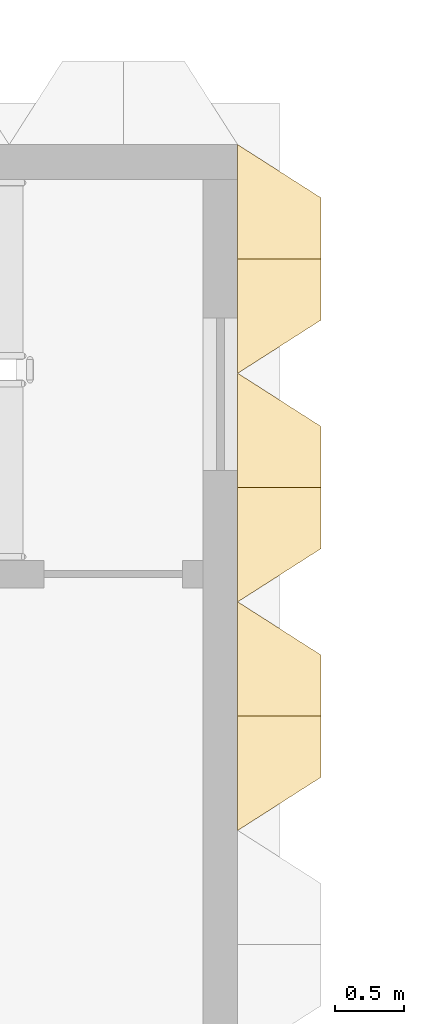
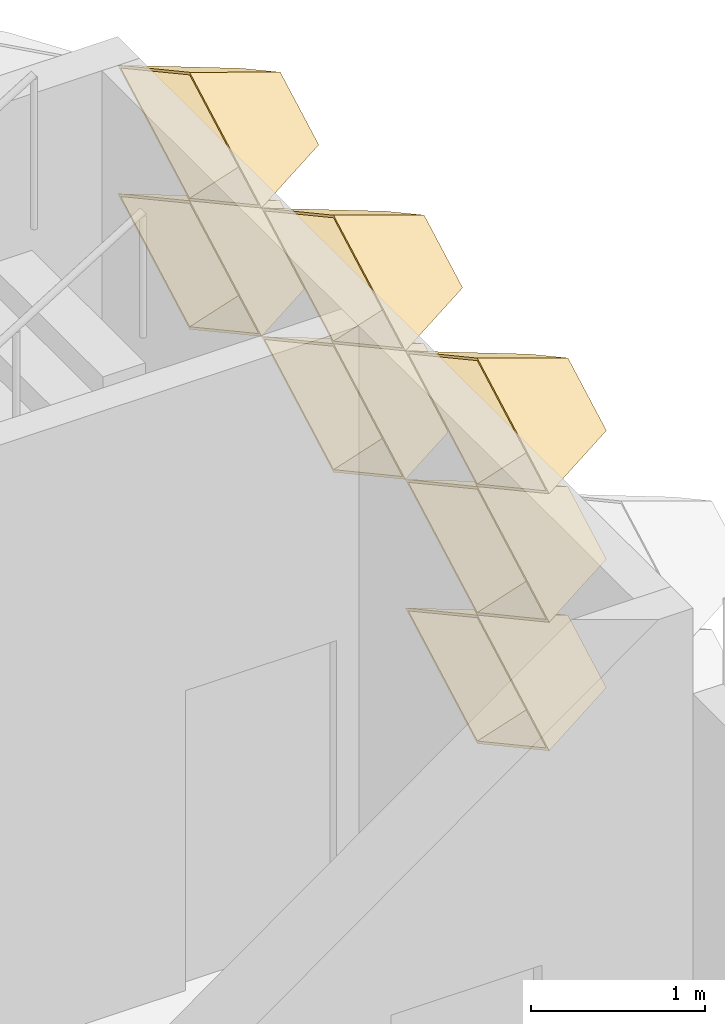
# One storey, part 101 of 102: 7 coverings.
"""IFC4 building model written with IfcOpenShell, lengths in metres."""

from ifc_helpers import new_model, entity, si_unit, direction, frame, origin, place, context, subcontext, project, spatial, material, layer, layer_set, type_object, element, save


model = new_model("IFC4")

# Units and contexts
model_context = context("Model", 3, precision=1e-05, world=origin(), true_north=direction((0.0, 1.0)))
body_context = subcontext(model_context, "Body", "Model", "MODEL_VIEW")
ifc_project = project(units=[si_unit("LENGTHUNIT", "METRE"), si_unit("AREAUNIT", "SQUARE_METRE"), si_unit("VOLUMEUNIT", "CUBIC_METRE"), si_unit("PLANEANGLEUNIT", "RADIAN"), si_unit("MASSUNIT", "GRAM", prefix="KILO")], contexts=[model_context])

# Site, building, storey
site_placement = place(None, origin())
site = spatial("IfcSite", under=ifc_project, at=site_placement, CompositionType="ELEMENT")
building_placement = place(site_placement, origin())
building = spatial("IfcBuilding", under=site, at=building_placement, Name="Lantern Court Research Institute", CompositionType="ELEMENT")
storey_placement = place(building_placement, frame((0.0, 0.0, 9.89990234375)))
storey = spatial("IfcBuildingStorey", under=building, at=storey_placement, Name="L02", CompositionType="ELEMENT", Elevation=9.89990234375)

# Coverings
ifc_material = material(Name="Anodised aluminium", Category="aluminium")
ifc_layer = layer(ifc_material, 0.01611328125)
ifc_layer_set = layer_set([ifc_layer], Name="Anodised aluminium")
covering_type = type_object("IfcCoveringType", Name="Fin cassette 1650 x 900 x 600 aluminium", PredefinedType="CLADDING", material=ifc_layer_set)
covering_1_placement = place(storey_placement, frame((79.199951171875, 94.875, 2.25), z_axis=(1.0, 0.0, 0.0), x_axis=(0.0, 1.0, 0.0)))
cartesian_point_1 = entity("IfcCartesianPoint", [0.824951171875, 0.0])
cartesian_point_2 = entity("IfcCartesianPoint", [0.79150390625, 0.0])
cartesian_point_3 = entity("IfcCartesianPoint", [0.44189453125, 0.0])
cartesian_point_4 = entity("IfcCartesianPoint", [0.43359375, 0.0])
element("IfcCovering", 1, at=covering_1_placement, inside=storey, type_object=covering_type, Name="Fin cassette V6E-L02 3.58", PredefinedType="CLADDING", context=body_context, shape_type="SweptSolid", body=[
    entity("IfcExtrudedAreaSolidTapered", entity("IfcArbitraryProfileDefWithVoids", "AREA", None, entity("IfcPolyline", [cartesian_point_1, entity("IfcCartesianPoint", [0.0, 0.449951171875]), entity("IfcCartesianPoint", [-0.824951171875, 0.0]), entity("IfcCartesianPoint", [0.0, -0.449951171875]), cartesian_point_1]), [entity("IfcPolyline", [cartesian_point_2, entity("IfcCartesianPoint", [0.0, 0.431884765625]), entity("IfcCartesianPoint", [-0.79150390625, 0.0]), entity("IfcCartesianPoint", [0.0, -0.431884765625]), cartesian_point_2])]), entity("IfcAxis2Placement3D", entity("IfcCartesianPoint", [0.0, 0.0, 0.0])), entity("IfcDirection", [0.0, 0.0, 1.0]), 0.60009765625, entity("IfcArbitraryProfileDefWithVoids", "AREA", None, entity("IfcPolyline", [cartesian_point_3, entity("IfcCartesianPoint", [0.0, 0.240966796875]), entity("IfcCartesianPoint", [-0.44189453125, 0.0]), entity("IfcCartesianPoint", [0.0, -0.240966796875]), cartesian_point_3]), [entity("IfcPolyline", [cartesian_point_4, entity("IfcCartesianPoint", [0.0, 0.236572265625]), entity("IfcCartesianPoint", [-0.43359375, 0.0]), entity("IfcCartesianPoint", [0.0, -0.236572265625]), cartesian_point_4])])),
])
covering_2_placement = place(storey_placement, frame((79.199951171875, 94.875, 3.150146484375), z_axis=(1.0, 0.0, 0.0), x_axis=(0.0, 1.0, 0.0)))
cartesian_point_5 = entity("IfcCartesianPoint", [0.824951171875, 0.0])
cartesian_point_6 = entity("IfcCartesianPoint", [0.79150390625, 0.0])
cartesian_point_7 = entity("IfcCartesianPoint", [0.44189453125, 0.0])
cartesian_point_8 = entity("IfcCartesianPoint", [0.43359375, 0.0])
element("IfcCovering", 2, at=covering_2_placement, inside=storey, type_object=covering_type, Name="Fin cassette V6E-L02 4.58", PredefinedType="CLADDING", context=body_context, shape_type="SweptSolid", body=[
    entity("IfcExtrudedAreaSolidTapered", entity("IfcArbitraryProfileDefWithVoids", "AREA", None, entity("IfcPolyline", [cartesian_point_5, entity("IfcCartesianPoint", [0.0, 0.449951171875]), entity("IfcCartesianPoint", [-0.824951171875, 0.0]), entity("IfcCartesianPoint", [0.0, -0.449951171875]), cartesian_point_5]), [entity("IfcPolyline", [cartesian_point_6, entity("IfcCartesianPoint", [0.0, 0.431884765625]), entity("IfcCartesianPoint", [-0.79150390625, 0.0]), entity("IfcCartesianPoint", [0.0, -0.431884765625]), cartesian_point_6])]), entity("IfcAxis2Placement3D", entity("IfcCartesianPoint", [0.0, 0.0, 0.0])), entity("IfcDirection", [0.0, 0.0, 1.0]), 0.60009765625, entity("IfcArbitraryProfileDefWithVoids", "AREA", None, entity("IfcPolyline", [cartesian_point_7, entity("IfcCartesianPoint", [0.0, 0.240966796875]), entity("IfcCartesianPoint", [-0.44189453125, 0.0]), entity("IfcCartesianPoint", [0.0, -0.240966796875]), cartesian_point_7]), [entity("IfcPolyline", [cartesian_point_8, entity("IfcCartesianPoint", [0.0, 0.236572265625]), entity("IfcCartesianPoint", [-0.43359375, 0.0]), entity("IfcCartesianPoint", [0.0, -0.236572265625]), cartesian_point_8])])),
])
covering_3_placement = place(storey_placement, frame((79.199951171875, 96.52490234375, 3.150146484375), z_axis=(1.0, 0.0, 0.0), x_axis=(0.0, 1.0, 0.0)))
cartesian_point_9 = entity("IfcCartesianPoint", [0.824951171875, 0.0])
cartesian_point_10 = entity("IfcCartesianPoint", [0.79150390625, 0.0])
cartesian_point_11 = entity("IfcCartesianPoint", [0.44189453125, 0.0])
cartesian_point_12 = entity("IfcCartesianPoint", [0.43359375, 0.0])
element("IfcCovering", 3, at=covering_3_placement, inside=storey, type_object=covering_type, Name="Fin cassette V6E-L02 4.59", PredefinedType="CLADDING", context=body_context, shape_type="SweptSolid", body=[
    entity("IfcExtrudedAreaSolidTapered", entity("IfcArbitraryProfileDefWithVoids", "AREA", None, entity("IfcPolyline", [cartesian_point_9, entity("IfcCartesianPoint", [0.0, 0.449951171875]), entity("IfcCartesianPoint", [-0.824951171875, 0.0]), entity("IfcCartesianPoint", [0.0, -0.449951171875]), cartesian_point_9]), [entity("IfcPolyline", [cartesian_point_10, entity("IfcCartesianPoint", [0.0, 0.431884765625]), entity("IfcCartesianPoint", [-0.79150390625, 0.0]), entity("IfcCartesianPoint", [0.0, -0.431884765625]), cartesian_point_10])]), entity("IfcAxis2Placement3D", entity("IfcCartesianPoint", [0.0, 0.0, 0.0])), entity("IfcDirection", [0.0, 0.0, 1.0]), 0.60009765625, entity("IfcArbitraryProfileDefWithVoids", "AREA", None, entity("IfcPolyline", [cartesian_point_11, entity("IfcCartesianPoint", [0.0, 0.240966796875]), entity("IfcCartesianPoint", [-0.44189453125, 0.0]), entity("IfcCartesianPoint", [0.0, -0.240966796875]), cartesian_point_11]), [entity("IfcPolyline", [cartesian_point_12, entity("IfcCartesianPoint", [0.0, 0.236572265625]), entity("IfcCartesianPoint", [-0.43359375, 0.0]), entity("IfcCartesianPoint", [0.0, -0.236572265625]), cartesian_point_12])])),
])
covering_4_placement = place(storey_placement, frame((79.199951171875, 98.175048828125, 3.150146484375), z_axis=(1.0, 0.0, 0.0), x_axis=(0.0, 1.0, 0.0)))
cartesian_point_13 = entity("IfcCartesianPoint", [0.824951171875, 0.0])
cartesian_point_14 = entity("IfcCartesianPoint", [0.79150390625, 0.0])
cartesian_point_15 = entity("IfcCartesianPoint", [0.44189453125, 0.0])
cartesian_point_16 = entity("IfcCartesianPoint", [0.43359375, 0.0])
element("IfcCovering", 4, at=covering_4_placement, inside=storey, type_object=covering_type, Name="Fin cassette V6E-L02 4.60", PredefinedType="CLADDING", context=body_context, shape_type="SweptSolid", body=[
    entity("IfcExtrudedAreaSolidTapered", entity("IfcArbitraryProfileDefWithVoids", "AREA", None, entity("IfcPolyline", [cartesian_point_13, entity("IfcCartesianPoint", [0.0, 0.449951171875]), entity("IfcCartesianPoint", [-0.824951171875, 0.0]), entity("IfcCartesianPoint", [0.0, -0.449951171875]), cartesian_point_13]), [entity("IfcPolyline", [cartesian_point_14, entity("IfcCartesianPoint", [0.0, 0.431884765625]), entity("IfcCartesianPoint", [-0.79150390625, 0.0]), entity("IfcCartesianPoint", [0.0, -0.431884765625]), cartesian_point_14])]), entity("IfcAxis2Placement3D", entity("IfcCartesianPoint", [0.0, 0.0, 0.0])), entity("IfcDirection", [0.0, 0.0, 1.0]), 0.60009765625, entity("IfcArbitraryProfileDefWithVoids", "AREA", None, entity("IfcPolyline", [cartesian_point_15, entity("IfcCartesianPoint", [0.0, 0.240966796875]), entity("IfcCartesianPoint", [-0.44189453125, 0.0]), entity("IfcCartesianPoint", [0.0, -0.240966796875]), cartesian_point_15]), [entity("IfcPolyline", [cartesian_point_16, entity("IfcCartesianPoint", [0.0, 0.236572265625]), entity("IfcCartesianPoint", [-0.43359375, 0.0]), entity("IfcCartesianPoint", [0.0, -0.236572265625]), cartesian_point_16])])),
])
covering_5_placement = place(storey_placement, frame((79.199951171875, 94.875, 4.050048828125), z_axis=(1.0, 0.0, 0.0), x_axis=(0.0, 1.0, 0.0)))
cartesian_point_17 = entity("IfcCartesianPoint", [0.824951171875, 0.0])
cartesian_point_18 = entity("IfcCartesianPoint", [0.79150390625, 0.0])
cartesian_point_19 = entity("IfcCartesianPoint", [0.44189453125, 0.0])
cartesian_point_20 = entity("IfcCartesianPoint", [0.43359375, 0.0])
element("IfcCovering", 5, at=covering_5_placement, inside=storey, type_object=covering_type, Name="Fin cassette V6E-L02 5.58", PredefinedType="CLADDING", context=body_context, shape_type="SweptSolid", body=[
    entity("IfcExtrudedAreaSolidTapered", entity("IfcArbitraryProfileDefWithVoids", "AREA", None, entity("IfcPolyline", [cartesian_point_17, entity("IfcCartesianPoint", [0.0, 0.449951171875]), entity("IfcCartesianPoint", [-0.824951171875, 0.0]), entity("IfcCartesianPoint", [0.0, -0.449951171875]), cartesian_point_17]), [entity("IfcPolyline", [cartesian_point_18, entity("IfcCartesianPoint", [0.0, 0.431884765625]), entity("IfcCartesianPoint", [-0.79150390625, 0.0]), entity("IfcCartesianPoint", [0.0, -0.431884765625]), cartesian_point_18])]), entity("IfcAxis2Placement3D", entity("IfcCartesianPoint", [0.0, 0.0, 0.0])), entity("IfcDirection", [0.0, 0.0, 1.0]), 0.60009765625, entity("IfcArbitraryProfileDefWithVoids", "AREA", None, entity("IfcPolyline", [cartesian_point_19, entity("IfcCartesianPoint", [0.0, 0.240966796875]), entity("IfcCartesianPoint", [-0.44189453125, 0.0]), entity("IfcCartesianPoint", [0.0, -0.240966796875]), cartesian_point_19]), [entity("IfcPolyline", [cartesian_point_20, entity("IfcCartesianPoint", [0.0, 0.236572265625]), entity("IfcCartesianPoint", [-0.43359375, 0.0]), entity("IfcCartesianPoint", [0.0, -0.236572265625]), cartesian_point_20])])),
])
covering_6_placement = place(storey_placement, frame((79.199951171875, 96.52490234375, 4.050048828125), z_axis=(1.0, 0.0, 0.0), x_axis=(0.0, 1.0, 0.0)))
cartesian_point_21 = entity("IfcCartesianPoint", [0.824951171875, 0.0])
cartesian_point_22 = entity("IfcCartesianPoint", [0.79150390625, 0.0])
cartesian_point_23 = entity("IfcCartesianPoint", [0.44189453125, 0.0])
cartesian_point_24 = entity("IfcCartesianPoint", [0.43359375, 0.0])
element("IfcCovering", 6, at=covering_6_placement, inside=storey, type_object=covering_type, Name="Fin cassette V6E-L02 5.59", PredefinedType="CLADDING", context=body_context, shape_type="SweptSolid", body=[
    entity("IfcExtrudedAreaSolidTapered", entity("IfcArbitraryProfileDefWithVoids", "AREA", None, entity("IfcPolyline", [cartesian_point_21, entity("IfcCartesianPoint", [0.0, 0.449951171875]), entity("IfcCartesianPoint", [-0.824951171875, 0.0]), entity("IfcCartesianPoint", [0.0, -0.449951171875]), cartesian_point_21]), [entity("IfcPolyline", [cartesian_point_22, entity("IfcCartesianPoint", [0.0, 0.431884765625]), entity("IfcCartesianPoint", [-0.79150390625, 0.0]), entity("IfcCartesianPoint", [0.0, -0.431884765625]), cartesian_point_22])]), entity("IfcAxis2Placement3D", entity("IfcCartesianPoint", [0.0, 0.0, 0.0])), entity("IfcDirection", [0.0, 0.0, 1.0]), 0.60009765625, entity("IfcArbitraryProfileDefWithVoids", "AREA", None, entity("IfcPolyline", [cartesian_point_23, entity("IfcCartesianPoint", [0.0, 0.240966796875]), entity("IfcCartesianPoint", [-0.44189453125, 0.0]), entity("IfcCartesianPoint", [0.0, -0.240966796875]), cartesian_point_23]), [entity("IfcPolyline", [cartesian_point_24, entity("IfcCartesianPoint", [0.0, 0.236572265625]), entity("IfcCartesianPoint", [-0.43359375, 0.0]), entity("IfcCartesianPoint", [0.0, -0.236572265625]), cartesian_point_24])])),
])
covering_7_placement = place(storey_placement, frame((79.199951171875, 98.175048828125, 4.050048828125), z_axis=(1.0, 0.0, 0.0), x_axis=(0.0, 1.0, 0.0)))
cartesian_point_25 = entity("IfcCartesianPoint", [0.824951171875, 0.0])
cartesian_point_26 = entity("IfcCartesianPoint", [0.79150390625, 0.0])
cartesian_point_27 = entity("IfcCartesianPoint", [0.44189453125, 0.0])
cartesian_point_28 = entity("IfcCartesianPoint", [0.43359375, 0.0])
element("IfcCovering", 7, at=covering_7_placement, inside=storey, type_object=covering_type, Name="Fin cassette V6E-L02 5.60", PredefinedType="CLADDING", context=body_context, shape_type="SweptSolid", body=[
    entity("IfcExtrudedAreaSolidTapered", entity("IfcArbitraryProfileDefWithVoids", "AREA", None, entity("IfcPolyline", [cartesian_point_25, entity("IfcCartesianPoint", [0.0, 0.449951171875]), entity("IfcCartesianPoint", [-0.824951171875, 0.0]), entity("IfcCartesianPoint", [0.0, -0.449951171875]), cartesian_point_25]), [entity("IfcPolyline", [cartesian_point_26, entity("IfcCartesianPoint", [0.0, 0.431884765625]), entity("IfcCartesianPoint", [-0.79150390625, 0.0]), entity("IfcCartesianPoint", [0.0, -0.431884765625]), cartesian_point_26])]), entity("IfcAxis2Placement3D", entity("IfcCartesianPoint", [0.0, 0.0, 0.0])), entity("IfcDirection", [0.0, 0.0, 1.0]), 0.60009765625, entity("IfcArbitraryProfileDefWithVoids", "AREA", None, entity("IfcPolyline", [cartesian_point_27, entity("IfcCartesianPoint", [0.0, 0.240966796875]), entity("IfcCartesianPoint", [-0.44189453125, 0.0]), entity("IfcCartesianPoint", [0.0, -0.240966796875]), cartesian_point_27]), [entity("IfcPolyline", [cartesian_point_28, entity("IfcCartesianPoint", [0.0, 0.236572265625]), entity("IfcCartesianPoint", [-0.43359375, 0.0]), entity("IfcCartesianPoint", [0.0, -0.236572265625]), cartesian_point_28])])),
])

save(model, "model.ifc")
